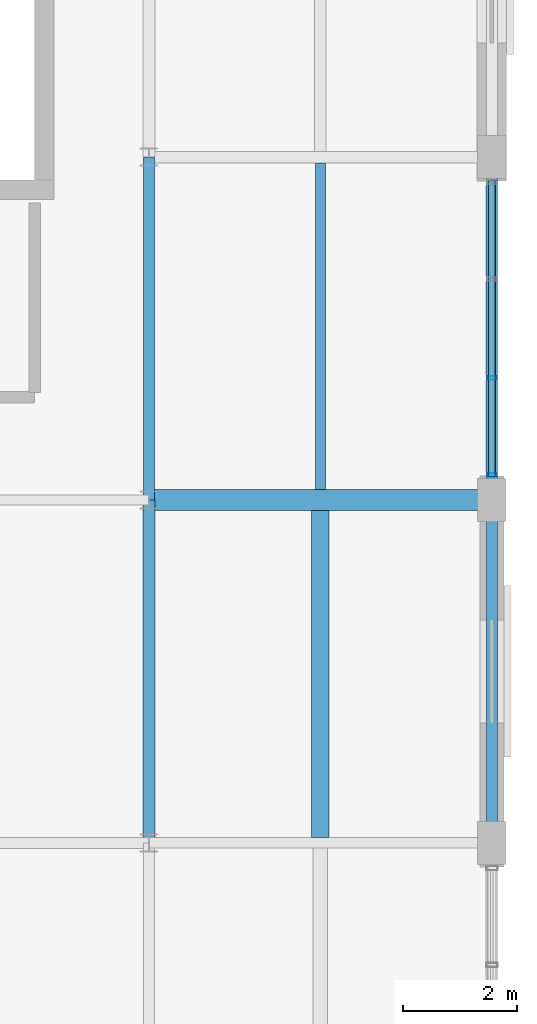
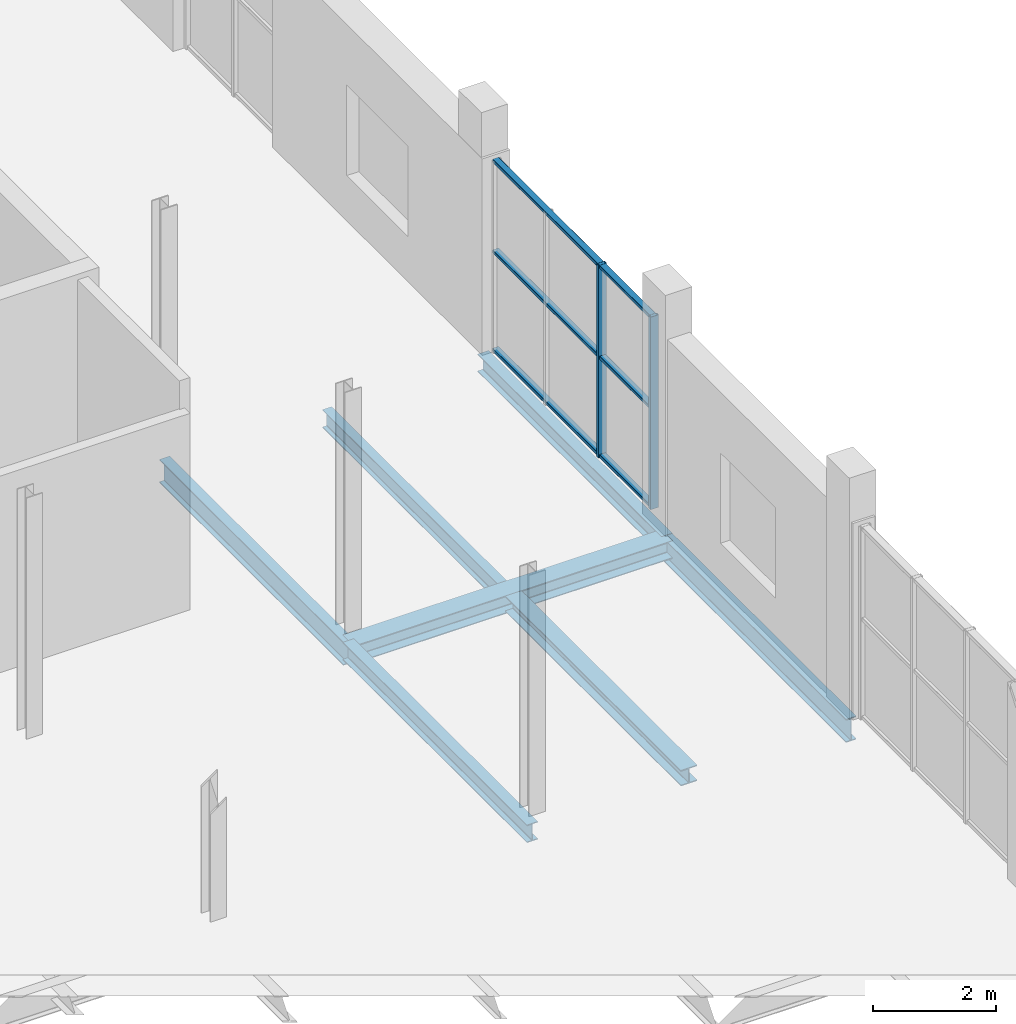
# One storey, part 69 of 114: 7 beams, 5 members, 1 element without a shape of its own.
"""IFC4 building model written with IfcOpenShell, lengths in metres."""

from ifc_helpers import new_model, si_unit, direction, frame, origin, origin_2d, place, context, subcontext, project, spatial, hollow_rectangle, i_section, extrude, material, material_profile, profile_set, type_object, element, aggregate, save


model = new_model("IFC4")

# Units and contexts
model_context = context("Model", 3, precision=1e-05, world=origin(), true_north=direction((0.0, 1.0)))
body_context = subcontext(model_context, "Body", "Model", "MODEL_VIEW")
ifc_project = project(units=[si_unit("LENGTHUNIT", "METRE"), si_unit("AREAUNIT", "SQUARE_METRE"), si_unit("VOLUMEUNIT", "CUBIC_METRE"), si_unit("PLANEANGLEUNIT", "RADIAN"), si_unit("MASSUNIT", "GRAM", prefix="KILO")], contexts=[model_context])

# Site, building, storey
site_placement = place(None, origin())
site = spatial("IfcSite", under=ifc_project, at=site_placement, CompositionType="ELEMENT")
building_placement = place(site_placement, origin())
building = spatial("IfcBuilding", under=site, at=building_placement, Name="Verrall Gate Interchange", CompositionType="ELEMENT")
storey_placement = place(building_placement, frame((0.0, 0.0, 6.60009765625)))
storey = spatial("IfcBuildingStorey", under=building, at=storey_placement, Name="L02", CompositionType="ELEMENT", Elevation=6.60009765625)

# Beams
ifc_material_1 = material(Name="Structural Steel CSA G40.21 350W", Category="steel")
ifc_material_profile_1 = material_profile(ifc_material_1, i_section(OverallWidth=0.19189453125, OverallDepth=0.462890625, WebThickness=0.010498046875, FlangeThickness=0.017578125, FilletRadius=0.012939453125, at=origin_2d()), Name="W460x89")
ifc_profile_set_1 = profile_set([ifc_material_profile_1], Name="Structural Steel CSA G40.21 350W")
beam_type_1 = type_object("IfcBeamType", Name="B-11 Structural Beam W460x89", PredefinedType="BEAM", material=ifc_profile_set_1)
for number, where, z_axis, x_axis, name in (
    (1, (162.0, 28.0, -0.51171875), (0.0, 1.0, 0.0), (-1.0, 0.0, 0.0), "L02 Girder BM-L02-1826 (B-11)"),
    (2, (168.0, 22.0, -0.51171875), (0.0, 1.0, 0.0), (-1.0, 0.0, 0.0), "L02 Girder BM-L02-1833 (B-11)"),
):
    element("IfcBeam", number, at=place(storey_placement, frame(where, z_axis=z_axis, x_axis=x_axis)), inside=storey, type_object=beam_type_1, Name=name, PredefinedType="BEAM", context=body_context, shape_type="SweptSolid", body=[
        extrude(i_section(OverallWidth=0.19189453125, OverallDepth=0.462890625, WebThickness=0.010498046875, FlangeThickness=0.017578125, FilletRadius=0.012939453125, at=origin_2d()), origin(), (0.0, 0.0, 1.0), 6.0),
    ])
ifc_material_2 = material(Name="Structural Steel CSA G40.21 350W", Category="steel")
ifc_material_profile_2 = material_profile(ifc_material_2, i_section(OverallWidth=0.368896484375, OverallDepth=0.35595703125, WebThickness=0.01123046875, FlangeThickness=0.01806640625, FilletRadius=0.014892578125, at=origin_2d()), Name="W360x134")
ifc_profile_set_2 = profile_set([ifc_material_profile_2], Name="Structural Steel CSA G40.21 350W")
beam_type_2 = type_object("IfcBeamType", Name="B-13 Structural Beam W360x134", PredefinedType="BEAM", material=ifc_profile_set_2)
beam_1_placement = place(storey_placement, frame((162.0, 28.0, -0.4580078125), z_axis=(1.0, 0.0, 0.0), x_axis=(0.0, 1.0, 0.0)))
element("IfcBeam", 3, at=beam_1_placement, inside=storey, type_object=beam_type_2, Name="L02 Girder BM-L02-1525 (B-13)", PredefinedType="BEAM", context=body_context, shape_type="SweptSolid", body=[
    extrude(i_section(OverallWidth=0.368896484375, OverallDepth=0.35595703125, WebThickness=0.01123046875, FlangeThickness=0.01806640625, FilletRadius=0.014892578125, at=origin_2d()), origin(), (0.0, 0.0, 1.0), 6.0),
])
ifc_material_3 = material(Name="Structural Steel CSA G40.21 350W", Category="steel")
ifc_material_profile_3 = material_profile(ifc_material_3, i_section(OverallWidth=0.205078125, OverallDepth=0.35400390625, WebThickness=0.009521484375, FlangeThickness=0.016845703125, FilletRadius=0.012939453125, at=origin_2d()), Name="W360x79")
ifc_profile_set_3 = profile_set([ifc_material_profile_3], Name="Structural Steel CSA G40.21 350W")
beam_type_3 = type_object("IfcBeamType", Name="B-14 Structural Beam W360x79", PredefinedType="BEAM", material=ifc_profile_set_3)
for number, where, z_axis, x_axis, name in (
    (4, (162.0, 22.0, -0.45703125), (0.0, 1.0, 0.0), (-1.0, 0.0, 0.0), "L02 Girder BM-L02-1825 (B-14)"),
    (5, (168.0, 28.0, -0.45703125), (0.0, 1.0, 0.0), (-1.0, 0.0, 0.0), "L02 Girder BM-L02-1834 (B-14)"),
):
    element("IfcBeam", number, at=place(storey_placement, frame(where, z_axis=z_axis, x_axis=x_axis)), inside=storey, type_object=beam_type_3, Name=name, PredefinedType="BEAM", context=body_context, shape_type="SweptSolid", body=[
        extrude(i_section(OverallWidth=0.205078125, OverallDepth=0.35400390625, WebThickness=0.009521484375, FlangeThickness=0.016845703125, FilletRadius=0.012939453125, at=origin_2d()), origin(), (0.0, 0.0, 1.0), 6.0),
    ])

# Curtain wall, members
ifc_material_4 = material(Name="Thermally Broken Anodized Aluminium Curtain Wall Framing", Category="aluminium")
curtain_wall_type = type_object("IfcCurtainWallType", Name="CW-24 Unitized Curtain Wall 5186x3830", PredefinedType="NOTDEFINED", material=ifc_material_4)
curtain_wall_placement = place(storey_placement, origin())
curtain_wall = element("IfcCurtainWall", 6, at=curtain_wall_placement, inside=storey, type_object=curtain_wall_type, Name="L02 Unitized Curtain Wall CW-L02-092", PredefinedType="NOTDEFINED")
ifc_material_5 = material(Name="Thermally Broken Anodized Aluminium Curtain Wall Framing", Category="aluminium")
ifc_material_profile_4 = material_profile(ifc_material_5, hollow_rectangle(XDim=0.06494140625, YDim=0.159912109375, WallThickness=0.00390625, InnerFilletRadius=0.00390625, OuterFilletRadius=0.008056640625, at=origin_2d()), Name="CWM160x65x4")
ifc_profile_set_4 = profile_set([ifc_material_profile_4], Name="Thermally Broken Anodized Aluminium Curtain Wall Framing")
member_type_1 = type_object("IfcMemberType", Name="CM-01 Curtain Mullion CWM160x65x4", PredefinedType="MULLION", material=ifc_profile_set_4)
member_1_placement = place(storey_placement, frame((168.0, 28.439453125, 0.0), z_axis=(0.0, 0.0, 1.0), x_axis=(0.0, 1.0, 0.0)))
member_1 = element("IfcMember", 7, at=member_1_placement, type_object=member_type_1, Name="CW-L02-092 Mullion 1", PredefinedType="MULLION", context=body_context, shape_type="SweptSolid", body=[
    extrude(hollow_rectangle(XDim=0.06494140625, YDim=0.159912109375, WallThickness=0.00390625, InnerFilletRadius=0.00390625, OuterFilletRadius=0.008056640625, at=origin_2d()), origin(), (0.0, 0.0, 1.0), 3.829833984375),
])
member_2_placement = place(storey_placement, frame((168.0, 30.1357421875, 0.0), z_axis=(0.0, 0.0, 1.0), x_axis=(0.0, 1.0, 0.0)))
member_2 = element("IfcMember", 8, at=member_2_placement, type_object=member_type_1, Name="CW-L02-092 Mullion 2", PredefinedType="MULLION", context=body_context, shape_type="SweptSolid", body=[
    extrude(hollow_rectangle(XDim=0.06494140625, YDim=0.159912109375, WallThickness=0.00390625, InnerFilletRadius=0.00390625, OuterFilletRadius=0.008056640625, at=origin_2d()), origin(), (0.0, 0.0, 1.0), 3.829833984375),
])
ifc_material_6 = material(Name="Thermally Broken Anodized Aluminium Curtain Wall Framing", Category="aluminium")
ifc_material_profile_5 = material_profile(ifc_material_6, hollow_rectangle(XDim=0.1201171875, YDim=0.06494140625, WallThickness=0.00390625, InnerFilletRadius=0.00390625, OuterFilletRadius=0.008056640625, at=origin_2d()), Name="CWT120x65x4")
ifc_profile_set_5 = profile_set([ifc_material_profile_5], Name="Thermally Broken Anodized Aluminium Curtain Wall Framing")
member_type_2 = type_object("IfcMemberType", Name="CT-01 Curtain Transom CWT120x65x4", PredefinedType="USERDEFINED", material=ifc_profile_set_5)
member_3_placement = place(storey_placement, frame((168.0, 28.406982421875, 0.032470703125), z_axis=(0.0, 1.0, 0.0), x_axis=(-1.0, 0.0, 0.0)))
member_3 = element("IfcMember", 9, at=member_3_placement, type_object=member_type_2, Name="CW-L02-092 Transom 1", ObjectType="TRANSOM", PredefinedType="USERDEFINED", context=body_context, shape_type="SweptSolid", body=[
    extrude(hollow_rectangle(XDim=0.1201171875, YDim=0.06494140625, WallThickness=0.00390625, InnerFilletRadius=0.00390625, OuterFilletRadius=0.008056640625, at=origin_2d()), origin(), (0.0, 0.0, 1.0), 5.18603515625),
])
member_4_placement = place(storey_placement, frame((168.0, 28.406982421875, 1.991455078125), z_axis=(0.0, 1.0, 0.0), x_axis=(-1.0, 0.0, 0.0)))
member_4 = element("IfcMember", 10, at=member_4_placement, type_object=member_type_2, Name="CW-L02-092 Transom 2", ObjectType="TRANSOM", PredefinedType="USERDEFINED", context=body_context, shape_type="SweptSolid", body=[
    extrude(hollow_rectangle(XDim=0.1201171875, YDim=0.06494140625, WallThickness=0.00390625, InnerFilletRadius=0.00390625, OuterFilletRadius=0.008056640625, at=origin_2d()), origin(), (0.0, 0.0, 1.0), 5.18603515625),
])
member_5_placement = place(storey_placement, frame((168.0, 28.406982421875, 3.79736328125), z_axis=(0.0, 1.0, 0.0), x_axis=(-1.0, 0.0, 0.0)))
member_5 = element("IfcMember", 11, at=member_5_placement, type_object=member_type_2, Name="CW-L02-092 Transom 3", ObjectType="TRANSOM", PredefinedType="USERDEFINED", context=body_context, shape_type="SweptSolid", body=[
    extrude(hollow_rectangle(XDim=0.1201171875, YDim=0.06494140625, WallThickness=0.00390625, InnerFilletRadius=0.00390625, OuterFilletRadius=0.008056640625, at=origin_2d()), origin(), (0.0, 0.0, 1.0), 5.18603515625),
])
aggregate(curtain_wall, [member_1, member_2, member_3, member_4, member_5])

# Beams
ifc_material_7 = material(Name="Structural Steel CSA G40.21 350W", Category="steel")
ifc_material_profile_6 = material_profile(ifc_material_7, i_section(OverallWidth=0.172119140625, OverallDepth=0.35791015625, WebThickness=0.0078125, FlangeThickness=0.01318359375, FilletRadius=0.010986328125, at=origin_2d()), Name="W360x57")
ifc_profile_set_6 = profile_set([ifc_material_profile_6], Name="Structural Steel CSA G40.21 350W")
beam_type_4 = type_object("IfcBeamType", Name="J-01 Floor Joist W360x57", PredefinedType="JOIST", material=ifc_profile_set_6)
beam_2_placement = place(storey_placement, frame((165.0, 28.1845703125, -0.458984375), z_axis=(0.0, 1.0, 0.0), x_axis=(-1.0, 0.0, 0.0)))
element("IfcBeam", 12, at=beam_2_placement, inside=storey, type_object=beam_type_4, Name="L02 Secondary Floor Joist JST-L02-1906", PredefinedType="JOIST", context=body_context, shape_type="SweptSolid", body=[
    extrude(i_section(OverallWidth=0.172119140625, OverallDepth=0.35791015625, WebThickness=0.0078125, FlangeThickness=0.01318359375, FilletRadius=0.010986328125, at=origin_2d()), origin(), (0.0, 0.0, 1.0), 5.712890625),
])
ifc_material_8 = material(Name="Structural Steel CSA G40.21 350W", Category="steel")
ifc_material_profile_7 = material_profile(ifc_material_8, i_section(OverallWidth=0.306884765625, OverallDepth=0.31396484375, WebThickness=0.011962890625, FlangeThickness=0.018798828125, FilletRadius=0.013916015625, at=origin_2d()), Name="W310x118")
ifc_profile_set_7 = profile_set([ifc_material_profile_7], Name="Structural Steel CSA G40.21 350W")
beam_type_5 = type_object("IfcBeamType", Name="J-02 Floor Joist W310x118", PredefinedType="JOIST", material=ifc_profile_set_7)
beam_3_placement = place(storey_placement, frame((165.0, 22.089599609375, -0.43701171875), z_axis=(0.0, 1.0, 0.0), x_axis=(-1.0, 0.0, 0.0)))
element("IfcBeam", 13, at=beam_3_placement, inside=storey, type_object=beam_type_5, Name="L02 Secondary Floor Joist JST-L02-1899", PredefinedType="JOIST", context=body_context, shape_type="SweptSolid", body=[
    extrude(i_section(OverallWidth=0.306884765625, OverallDepth=0.31396484375, WebThickness=0.011962890625, FlangeThickness=0.018798828125, FilletRadius=0.013916015625, at=origin_2d()), origin(), (0.0, 0.0, 1.0), 5.725830078125),
])

save(model, "model.ifc")
